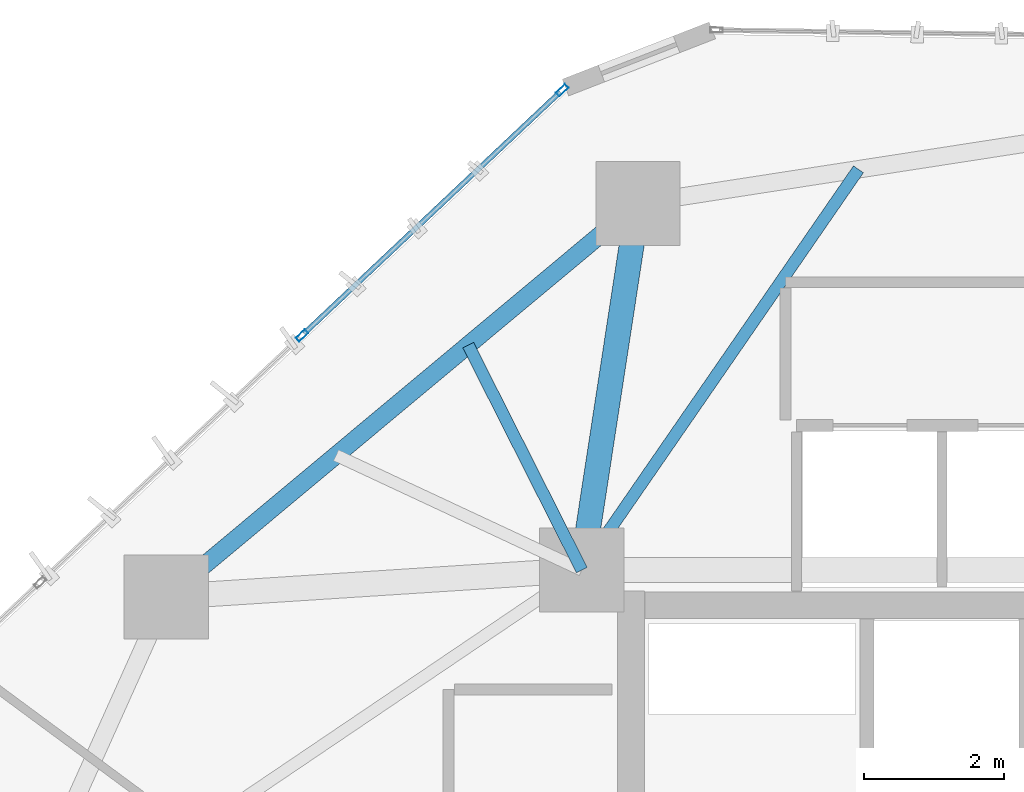
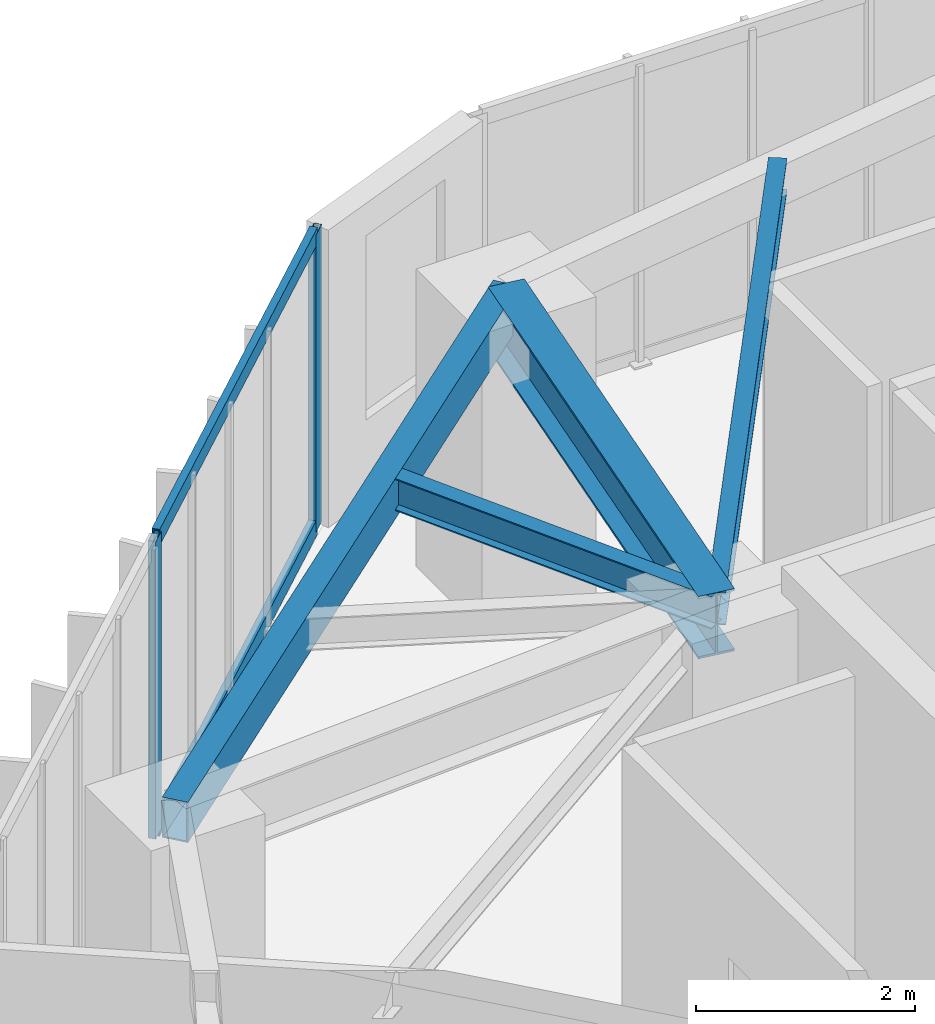
# One storey, part 10 of 22: 4 beams, 4 members, 1 element without a shape of its own.
"""IFC4 building model written with IfcOpenShell, lengths in metres."""

from ifc_helpers import new_model, si_unit, direction, frame, origin, origin_2d, place, context, subcontext, project, spatial, hollow_rectangle, i_section, extrude, source, transform, mapped, material, layer, layer_set, material_profile, profile_set, type_object, type_shapes, element, aggregate, save


model = new_model("IFC4")

# Units and contexts
model_context = context("Model", 3, precision=1e-05, world=origin(), true_north=direction((0.0, 1.0)))
body_context = subcontext(model_context, "Body", "Model", "MODEL_VIEW")
ifc_project = project(units=[si_unit("LENGTHUNIT", "METRE"), si_unit("AREAUNIT", "SQUARE_METRE"), si_unit("VOLUMEUNIT", "CUBIC_METRE"), si_unit("PLANEANGLEUNIT", "RADIAN"), si_unit("MASSUNIT", "GRAM", prefix="KILO")], contexts=[model_context])

# Site, building, storey
site_placement = place(None, origin())
site = spatial("IfcSite", under=ifc_project, at=site_placement, CompositionType="ELEMENT")
building_placement = place(site_placement, origin())
building = spatial("IfcBuilding", under=site, at=building_placement, Name="Talar Marvaseh", CompositionType="ELEMENT")
storey_placement = place(building_placement, frame((0.0, 0.0, 89.39990234375)))
storey = spatial("IfcBuildingStorey", under=building, at=storey_placement, Name="L22", CompositionType="ELEMENT", Elevation=89.39990234375)

# Beams
ifc_material_1 = material(Name="Steel S355", Category="steel")
ifc_material_profile_1 = material_profile(ifc_material_1, hollow_rectangle(XDim=0.25, YDim=0.449951171875, WallThickness=0.01611328125, at=origin_2d()), Name="RHS450x250x16")
ifc_profile_set_1 = profile_set([ifc_material_profile_1], Name="Steel S355")
beam_type_1 = type_object("IfcBeamType", Name="Zone 2 Perimeter Spandrel Beam RHS450x250x16", PredefinedType="SPANDREL", material=ifc_profile_set_1)
beam_1_placement = place(storey_placement, frame((12.780029296875, 36.51708984375, 3.085205078125), z_axis=(0.76793081465, 0.640532796905, 0.0), x_axis=(-0.640532796905, 0.76793081465, 0.0)))
element("IfcBeam", 1, at=beam_1_placement, inside=storey, type_object=beam_type_1, Name="L22 Zone 2 Perimeter Spandrel Beam RHS450x250x16", PredefinedType="SPANDREL", context=body_context, shape_type="SweptSolid", body=[
    extrude(hollow_rectangle(XDim=0.25, YDim=0.449951171875, WallThickness=0.01611328125, at=origin_2d()), origin(), (0.0, 0.0, 1.0), 8.751953125),
])
ifc_material_profile_2 = material_profile(ifc_material_1, i_section(OverallWidth=0.35498046875, OverallDepth=0.695068359375, WebThickness=0.015380859375, FlangeThickness=0.02490234375, at=origin_2d()), Name="W690x217")
ifc_profile_set_2 = profile_set([ifc_material_profile_2], Name="Steel S355")
beam_type_2 = type_object("IfcBeamType", Name="Zone 2 Radial Floor Girder W690x217", PredefinedType="BEAM", material=ifc_profile_set_2)
beam_2_placement = place(storey_placement, frame((19.5009765625, 42.123046875, 2.962646484375), z_axis=(-0.151588471466, -0.98844369355, 0.0), x_axis=(0.98844369355, -0.151588471466, 0.0)))
element("IfcBeam", 2, at=beam_2_placement, inside=storey, type_object=beam_type_2, Name="L22 Zone 2 Radial Floor Girder W690x217", PredefinedType="BEAM", context=body_context, shape_type="SweptSolid", body=[
    extrude(i_section(OverallWidth=0.35498046875, OverallDepth=0.695068359375, WebThickness=0.015380859375, FlangeThickness=0.02490234375, at=origin_2d()), origin(), (0.0, 0.0, 1.0), 5.2841796875),
])
ifc_material_profile_3 = material_profile(ifc_material_1, i_section(OverallWidth=0.172119140625, OverallDepth=0.35791015625, WebThickness=0.0078125, FlangeThickness=0.01318359375, at=origin_2d()), Name="W360x57")
ifc_profile_set_3 = profile_set([ifc_material_profile_3], Name="Steel S355")
beam_type_3 = type_object("IfcBeamType", Name="Zone 2 Secondary Floor Joist W360x57", PredefinedType="JOIST", material=ifc_profile_set_3)
beam_3_placement = place(storey_placement, frame((17.081298828125, 40.104736328125, 3.131103515625), z_axis=(0.450827436945, -0.892611125909, 0.0), x_axis=(0.892611125909, 0.450827436945, 0.0)))
element("IfcBeam", 3, at=beam_3_placement, inside=storey, type_object=beam_type_3, Name="L22 Zone 2 Secondary Floor Joist W360x57", PredefinedType="JOIST", context=body_context, shape_type="SweptSolid", body=[
    extrude(i_section(OverallWidth=0.172119140625, OverallDepth=0.35791015625, WebThickness=0.0078125, FlangeThickness=0.01318359375, at=origin_2d()), origin(), (0.0, 0.0, 1.0), 3.59033203125),
])
beam_4_placement = place(storey_placement, frame((22.640625, 42.608642578125, 3.131103515625), z_axis=(-0.568085734836, -0.822969378456, 0.0), x_axis=(0.822969378456, -0.568085734836, 0.0)))
element("IfcBeam", 4, at=beam_4_placement, inside=storey, type_object=beam_type_3, Name="L22 Zone 2 Secondary Floor Joist W360x57", PredefinedType="JOIST", context=body_context, shape_type="SweptSolid", body=[
    extrude(i_section(OverallWidth=0.172119140625, OverallDepth=0.35791015625, WebThickness=0.0078125, FlangeThickness=0.01318359375, at=origin_2d()), origin(), (0.0, 0.0, 1.0), 6.936767578125),
])

# Curtain wall, members
ifc_material_2 = material(Name="Architectural Aluminium", Category="aluminium")
ifc_layer = layer(ifc_material_2, 0.199951171875)
ifc_layer_set = layer_set([ifc_layer], Name="Architectural Aluminium")
curtain_wall_type = type_object("IfcCurtainWallType", Name="Unitised Acoustic Library Curtain Wall Z2", PredefinedType="NOTDEFINED", material=ifc_layer_set)
curtain_wall_placement = place(storey_placement, origin())
curtain_wall = element("IfcCurtainWall", 5, at=curtain_wall_placement, inside=storey, type_object=curtain_wall_type, Name="L22 Unitised Acoustic Library Curtain Wall Z2", PredefinedType="NOTDEFINED")
ifc_material_profile_4 = material_profile(ifc_material_2, hollow_rectangle(XDim=0.074951171875, YDim=0.179931640625, WallThickness=0.0048828125, at=origin_2d()), Name="RHS180x75x5")
ifc_profile_set_4 = profile_set([ifc_material_profile_4], Name="Architectural Aluminium")
member_type_1 = type_object("IfcMemberType", Name="Unitised Curtain Wall Standard Mullion RHS180x75x5", PredefinedType="MULLION", material=ifc_profile_set_4)
shared_shape_1 = source(origin(), body_context, "Body", "SweptSolid", [
    extrude(hollow_rectangle(XDim=0.074951171875, YDim=0.179931640625, WallThickness=0.0048828125, at=origin_2d()), origin(), (0.0, 0.0, 1.0), 3.31005859375),
])
type_shapes(member_type_1, [shared_shape_1])
member_1_placement = place(storey_placement, frame((14.71533203125, 40.241943359375, 0.0), z_axis=(0.0, 0.0, 1.0), x_axis=(-0.686045202002, 0.727558919133, 0.0)))
member_1 = element("IfcMember", 6, at=member_1_placement, type_object=member_type_1, Name="CW-Z2 mullion 3", PredefinedType="MULLION", context=body_context, shape_type="MappedRepresentation", body=[
    mapped(shared_shape_1, transform((0.0, 0.0, 0.0), x_axis=(1.0, 0.0, 0.0), y_axis=(0.0, 1.0, 0.0), z_axis=(0.0, 0.0, 1.0), scale=1.0)),
])
member_2_placement = place(storey_placement, frame((18.42041015625, 43.735595703125, 0.0), z_axis=(0.0, 0.0, 1.0), x_axis=(-0.686045202002, 0.727558919133, 0.0)))
member_2 = element("IfcMember", 7, at=member_2_placement, type_object=member_type_1, Name="CW-Z2 mullion 4", PredefinedType="MULLION", context=body_context, shape_type="MappedRepresentation", body=[
    mapped(shared_shape_1, transform((0.0, 0.0, 0.0), x_axis=(1.0, 0.0, 0.0), y_axis=(0.0, 1.0, 0.0), z_axis=(0.0, 0.0, 1.0), scale=1.0)),
])
ifc_material_profile_5 = material_profile(ifc_material_2, hollow_rectangle(XDim=0.074951171875, YDim=0.179931640625, WallThickness=0.0048828125, at=origin_2d()), Name="RHS180x75x5")
ifc_profile_set_5 = profile_set([ifc_material_profile_5], Name="Architectural Aluminium")
member_type_2 = type_object("IfcMemberType", Name="Unitised Curtain Wall Transom RHS180x75x5", PredefinedType="USERDEFINED", material=ifc_profile_set_5)
shared_shape_2 = source(origin(), body_context, "Body", "SweptSolid", [
    extrude(hollow_rectangle(XDim=0.074951171875, YDim=0.179931640625, WallThickness=0.0048828125, at=origin_2d()), origin(), (0.0, 0.0, 1.0), 5.017578125),
])
type_shapes(member_type_2, [shared_shape_2])
member_3_placement = place(storey_placement, frame((14.74267578125, 40.267578125, 0.03759765625), z_axis=(0.727531115156, 0.686074687246, 0.0), x_axis=(-0.686074687246, 0.727531115156, 0.0)))
member_3 = element("IfcMember", 8, at=member_3_placement, type_object=member_type_2, Name="CW-Z2 transom 3.1", ObjectType="TRANSOM", PredefinedType="USERDEFINED", context=body_context, shape_type="MappedRepresentation", body=[
    mapped(shared_shape_2, transform((0.0, 0.0, 0.0), x_axis=(1.0, 0.0, 0.0), y_axis=(0.0, 1.0, 0.0), z_axis=(0.0, 0.0, 1.0), scale=1.0)),
])
member_4_placement = place(storey_placement, frame((14.74267578125, 40.267578125, 3.272705078125), z_axis=(0.727531115156, 0.686074687246, 0.0), x_axis=(-0.686074687246, 0.727531115156, 0.0)))
member_4 = element("IfcMember", 9, at=member_4_placement, type_object=member_type_2, Name="CW-Z2 transom 3.2", ObjectType="TRANSOM", PredefinedType="USERDEFINED", context=body_context, shape_type="MappedRepresentation", body=[
    mapped(shared_shape_2, transform((0.0, 0.0, 0.0), x_axis=(1.0, 0.0, 0.0), y_axis=(0.0, 1.0, 0.0), z_axis=(0.0, 0.0, 1.0), scale=1.0)),
])
aggregate(curtain_wall, [member_1, member_2, member_3, member_4])

save(model, "model.ifc")
